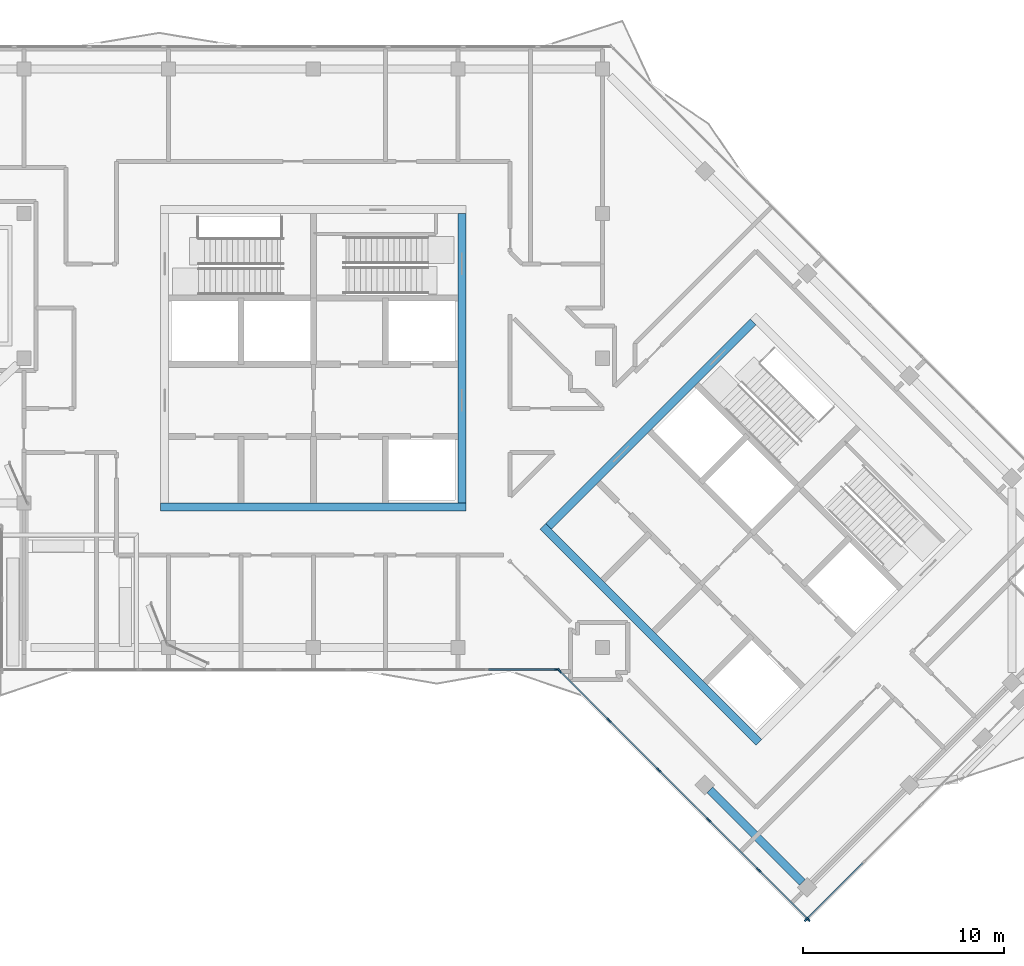
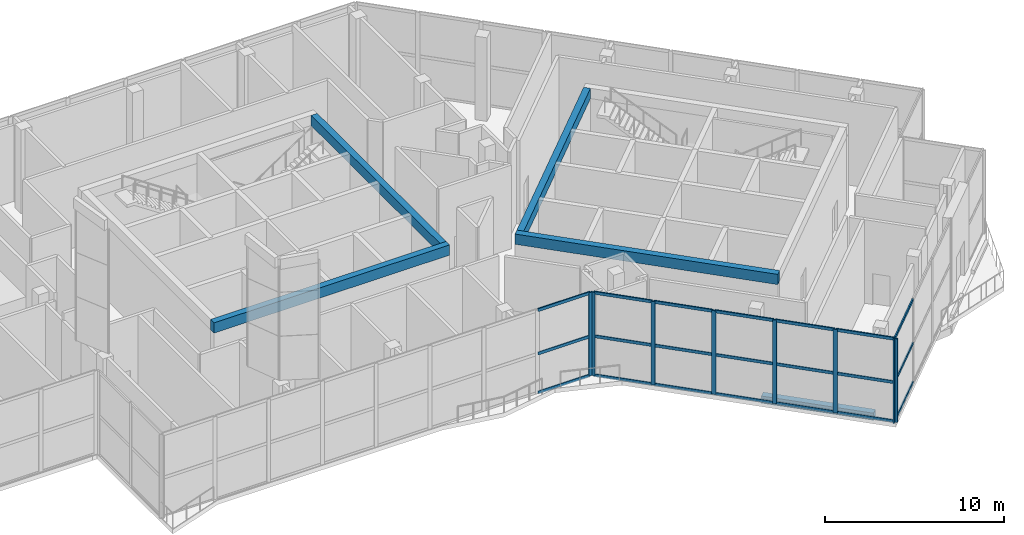
# One storey, part 5 of 19: 29 members, 5 beams, 3 elements without a shape of their own.
"""IFC4 building model written with IfcOpenShell, lengths in metres."""

from ifc_helpers import new_model, si_unit, direction, frame, origin, origin_2d, place, context, subcontext, project, spatial, rectangle, extrude, material, material_profile, profile_set, type_object, element, aggregate, save


model = new_model("IFC4")

# Units and contexts
model_context = context("Model", 3, precision=1e-05, world=origin(), true_north=direction((0.0, 1.0)))
body_context = subcontext(model_context, "Body", "Model", "MODEL_VIEW")
ifc_project = project(units=[si_unit("LENGTHUNIT", "METRE"), si_unit("AREAUNIT", "SQUARE_METRE"), si_unit("VOLUMEUNIT", "CUBIC_METRE"), si_unit("PLANEANGLEUNIT", "RADIAN"), si_unit("MASSUNIT", "GRAM", prefix="KILO")], contexts=[model_context])

# Site, building, storey
site_placement = place(None, origin())
site = spatial("IfcSite", under=ifc_project, at=site_placement, CompositionType="ELEMENT")
building_placement = place(site_placement, origin())
building = spatial("IfcBuilding", under=site, at=building_placement, Name="Windrow Commons", CompositionType="ELEMENT")
storey_placement = place(building_placement, frame((0.0, 0.0, 284.6)))
storey = spatial("IfcBuildingStorey", under=building, at=storey_placement, Name="L78", CompositionType="ELEMENT", Elevation=284.6)

# Curtain wall, member
ifc_material_1 = material(Name="Clear laminated glass in Aluminium 6063-T6 anodised frame", Category="aluminium")
curtain_wall_type = type_object("IfcCurtainWallType", Name="Curtain wall CW3 damper floor", PredefinedType="USERDEFINED", material=ifc_material_1)
placement = place(storey_placement, origin())
curtain_wall_1 = element("IfcCurtainWall", 1, at=placement, inside=storey, type_object=curtain_wall_type, Name="Curtain wall CW3 L78 1.1", ObjectType="STRUCTURAL SILICONE", PredefinedType="USERDEFINED")
ifc_material_2 = material(Name="Aluminium 6063-T6", Category="aluminium")
ifc_material_profile_1 = material_profile(ifc_material_2, rectangle(XDim=0.08, YDim=0.25, at=origin_2d()))
ifc_profile_set_1 = profile_set([ifc_material_profile_1], Name="Aluminium 6063-T6")
member_type_1 = type_object("IfcMemberType", Name="CW3 mullion 80x250", PredefinedType="MULLION", material=ifc_profile_set_1)
member_1_placement = place(storey_placement, frame((89.3399, 29.6726, 0.0), z_axis=(0.0, 0.0, 1.0), x_axis=(-0.707104177, 0.7071093854, 0.0)))
member_1 = element("IfcMember", 2, at=member_1_placement, type_object=member_type_1, Name="CW3 mullion 1", PredefinedType="MULLION", context=body_context, shape_type="SweptSolid", body=[
    extrude(rectangle(XDim=0.08, YDim=0.25, at=origin_2d()), origin(), (0.0, 0.0, 1.0), 5.7),
])

curtain_wall_2 = element("IfcCurtainWall", 3, at=placement, inside=storey, type_object=curtain_wall_type, Name="Curtain wall CW3 L78 13", ObjectType="STRUCTURAL SILICONE", PredefinedType="USERDEFINED")
member_2_placement = place(storey_placement, frame((76.9159, 42.1, 0.0), z_axis=(0.0, 0.0, 1.0), x_axis=(0.0, 1.0, 0.0)))
member_2 = element("IfcMember", 4, at=member_2_placement, type_object=member_type_1, Name="CW3 mullion 9", PredefinedType="MULLION", context=body_context, shape_type="SweptSolid", body=[
    extrude(rectangle(XDim=0.08, YDim=0.25, at=origin_2d()), origin(), (0.0, 0.0, 1.0), 5.7),
])

# Curtain wall, members
curtain_wall_3 = element("IfcCurtainWall", 5, at=placement, inside=storey, type_object=curtain_wall_type, Name="Curtain wall CW3 L78 14", ObjectType="STRUCTURAL SILICONE", PredefinedType="USERDEFINED")
member_3_placement = place(storey_placement, frame((77.0549, 42.0424, 0.0), z_axis=(0.0, 0.0, 1.0), x_axis=(0.7071067812, 0.7071067812, 0.0)))
member_3 = element("IfcMember", 6, at=member_3_placement, type_object=member_type_1, Name="CW3 mullion 1", PredefinedType="MULLION", context=body_context, shape_type="SweptSolid", body=[
    extrude(rectangle(XDim=0.08, YDim=0.25, at=origin_2d()), origin(), (0.0, 0.0, 1.0), 5.7),
])
member_4_placement = place(storey_placement, frame((79.5119, 39.5854, 0.0), z_axis=(0.0, 0.0, 1.0), x_axis=(0.7071067812, 0.7071067812, 0.0)))
member_4 = element("IfcMember", 7, at=member_4_placement, type_object=member_type_1, Name="CW3 mullion 2", PredefinedType="MULLION", context=body_context, shape_type="SweptSolid", body=[
    extrude(rectangle(XDim=0.08, YDim=0.25, at=origin_2d()), origin(), (0.0, 0.0, 1.0), 5.7),
])
member_5_placement = place(storey_placement, frame((81.9972, 37.1002, 0.0), z_axis=(0.0, 0.0, 1.0), x_axis=(0.7071067812, 0.7071067812, 0.0)))
member_5 = element("IfcMember", 8, at=member_5_placement, type_object=member_type_1, Name="CW3 mullion 3", PredefinedType="MULLION", context=body_context, shape_type="SweptSolid", body=[
    extrude(rectangle(XDim=0.08, YDim=0.25, at=origin_2d()), origin(), (0.0, 0.0, 1.0), 5.7),
])
member_6_placement = place(storey_placement, frame((84.4825, 34.6149, 0.0), z_axis=(0.0, 0.0, 1.0), x_axis=(0.7071067812, 0.7071067812, 0.0)))
member_6 = element("IfcMember", 9, at=member_6_placement, type_object=member_type_1, Name="CW3 mullion 4", PredefinedType="MULLION", context=body_context, shape_type="SweptSolid", body=[
    extrude(rectangle(XDim=0.08, YDim=0.25, at=origin_2d()), origin(), (0.0, 0.0, 1.0), 5.7),
])
member_7_placement = place(storey_placement, frame((86.9677, 32.1296, 0.0), z_axis=(0.0, 0.0, 1.0), x_axis=(0.7071067812, 0.7071067812, 0.0)))
member_7 = element("IfcMember", 10, at=member_7_placement, type_object=member_type_1, Name="CW3 mullion 5", PredefinedType="MULLION", context=body_context, shape_type="SweptSolid", body=[
    extrude(rectangle(XDim=0.08, YDim=0.25, at=origin_2d()), origin(), (0.0, 0.0, 1.0), 5.7),
])
member_8_placement = place(storey_placement, frame((89.4247, 29.6726, 0.0), z_axis=(0.0, 0.0, 1.0), x_axis=(0.7071067812, 0.7071067812, 0.0)))
member_8 = element("IfcMember", 11, at=member_8_placement, type_object=member_type_1, Name="CW3 mullion 6", PredefinedType="MULLION", context=body_context, shape_type="SweptSolid", body=[
    extrude(rectangle(XDim=0.08, YDim=0.25, at=origin_2d()), origin(), (0.0, 0.0, 1.0), 5.7),
])

# Member
ifc_material_3 = material(Name="Aluminium 6063-T6", Category="aluminium")
ifc_material_profile_2 = material_profile(ifc_material_3, rectangle(XDim=0.08, YDim=0.2, at=origin_2d()))
ifc_profile_set_2 = profile_set([ifc_material_profile_2], Name="Aluminium 6063-T6")
member_type_2 = type_object("IfcMemberType", Name="CW3 transom 80x200", PredefinedType="USERDEFINED", material=ifc_profile_set_2)
member_9_placement = place(storey_placement, frame((89.3682, 29.7009, 0.04), z_axis=(0.7071067812, 0.7071067812, 0.0), x_axis=(-0.7071067812, 0.7071067812, 0.0)))
member_9 = element("IfcMember", 12, at=member_9_placement, type_object=member_type_2, Name="CW3 transom 1.1", ObjectType="TRANSOM", PredefinedType="USERDEFINED", context=body_context, shape_type="SweptSolid", body=[
    extrude(rectangle(XDim=0.08, YDim=0.2, at=origin_2d()), origin(), (0.0, 0.0, 1.0), 3.9353),
])

member_10_placement = place(storey_placement, frame((89.3682, 29.7009, 2.7), z_axis=(0.7071067812, 0.7071067812, 0.0), x_axis=(-0.7071067812, 0.7071067812, 0.0)))
member_10 = element("IfcMember", 13, at=member_10_placement, type_object=member_type_2, Name="CW3 transom 1.2", ObjectType="TRANSOM", PredefinedType="USERDEFINED", context=body_context, shape_type="SweptSolid", body=[
    extrude(rectangle(XDim=0.08, YDim=0.2, at=origin_2d()), origin(), (0.0, 0.0, 1.0), 3.9353),
])

member_11_placement = place(storey_placement, frame((89.3682, 29.7009, 5.66), z_axis=(0.7071067812, 0.7071067812, 0.0), x_axis=(-0.7071067812, 0.7071067812, 0.0)))
member_11 = element("IfcMember", 14, at=member_11_placement, type_object=member_type_2, Name="CW3 transom 1.3", ObjectType="TRANSOM", PredefinedType="USERDEFINED", context=body_context, shape_type="SweptSolid", body=[
    extrude(rectangle(XDim=0.08, YDim=0.2, at=origin_2d()), origin(), (0.0, 0.0, 1.0), 3.9353),
])

aggregate(curtain_wall_1, [member_1, member_9, member_10, member_11])

member_12_placement = place(storey_placement, frame((73.5264, 42.1, 0.04), z_axis=(1.0, 0.0, 0.0), x_axis=(0.0, 1.0, 0.0)))
member_12 = element("IfcMember", 15, at=member_12_placement, type_object=member_type_2, Name="CW3 transom 8.1", ObjectType="TRANSOM", PredefinedType="USERDEFINED", context=body_context, shape_type="SweptSolid", body=[
    extrude(rectangle(XDim=0.08, YDim=0.2, at=origin_2d()), origin(), (0.0, 0.0, 1.0), 3.3495),
])

member_13_placement = place(storey_placement, frame((73.5264, 42.1, 2.7), z_axis=(1.0, 0.0, 0.0), x_axis=(0.0, 1.0, 0.0)))
member_13 = element("IfcMember", 16, at=member_13_placement, type_object=member_type_2, Name="CW3 transom 8.2", ObjectType="TRANSOM", PredefinedType="USERDEFINED", context=body_context, shape_type="SweptSolid", body=[
    extrude(rectangle(XDim=0.08, YDim=0.2, at=origin_2d()), origin(), (0.0, 0.0, 1.0), 3.3495),
])

member_14_placement = place(storey_placement, frame((73.5264, 42.1, 5.66), z_axis=(1.0, 0.0, 0.0), x_axis=(0.0, 1.0, 0.0)))
member_14 = element("IfcMember", 17, at=member_14_placement, type_object=member_type_2, Name="CW3 transom 8.3", ObjectType="TRANSOM", PredefinedType="USERDEFINED", context=body_context, shape_type="SweptSolid", body=[
    extrude(rectangle(XDim=0.08, YDim=0.2, at=origin_2d()), origin(), (0.0, 0.0, 1.0), 3.3495),
])

aggregate(curtain_wall_2, [member_2, member_12, member_13, member_14])

member_15_placement = place(storey_placement, frame((77.0832, 42.0141, 0.04), z_axis=(0.7071067812, -0.7071067812, 0.0), x_axis=(0.7071067812, 0.7071067812, 0.0)))
member_15 = element("IfcMember", 18, at=member_15_placement, type_object=member_type_2, Name="CW3 transom 1.1", ObjectType="TRANSOM", PredefinedType="USERDEFINED", context=body_context, shape_type="SweptSolid", body=[
    extrude(rectangle(XDim=0.08, YDim=0.2, at=origin_2d()), origin(), (0.0, 0.0, 1.0), 3.3947),
])

member_16_placement = place(storey_placement, frame((77.0832, 42.0141, 2.7), z_axis=(0.7071067812, -0.7071067812, 0.0), x_axis=(0.7071067812, 0.7071067812, 0.0)))
member_16 = element("IfcMember", 19, at=member_16_placement, type_object=member_type_2, Name="CW3 transom 1.2", ObjectType="TRANSOM", PredefinedType="USERDEFINED", context=body_context, shape_type="SweptSolid", body=[
    extrude(rectangle(XDim=0.08, YDim=0.2, at=origin_2d()), origin(), (0.0, 0.0, 1.0), 3.3947),
])

member_17_placement = place(storey_placement, frame((77.0832, 42.0141, 5.66), z_axis=(0.7071067812, -0.7071067812, 0.0), x_axis=(0.7071067812, 0.7071067812, 0.0)))
member_17 = element("IfcMember", 20, at=member_17_placement, type_object=member_type_2, Name="CW3 transom 1.3", ObjectType="TRANSOM", PredefinedType="USERDEFINED", context=body_context, shape_type="SweptSolid", body=[
    extrude(rectangle(XDim=0.08, YDim=0.2, at=origin_2d()), origin(), (0.0, 0.0, 1.0), 3.3947),
])

member_18_placement = place(storey_placement, frame((79.5402, 39.5571, 0.04), z_axis=(0.7071067812, -0.7071067812, 0.0), x_axis=(0.7071067812, 0.7071067812, 0.0)))
member_18 = element("IfcMember", 21, at=member_18_placement, type_object=member_type_2, Name="CW3 transom 2.1", ObjectType="TRANSOM", PredefinedType="USERDEFINED", context=body_context, shape_type="SweptSolid", body=[
    extrude(rectangle(XDim=0.08, YDim=0.2, at=origin_2d()), origin(), (0.0, 0.0, 1.0), 3.4347),
])

member_19_placement = place(storey_placement, frame((79.5402, 39.5571, 2.7), z_axis=(0.7071067812, -0.7071067812, 0.0), x_axis=(0.7071067812, 0.7071067812, 0.0)))
member_19 = element("IfcMember", 22, at=member_19_placement, type_object=member_type_2, Name="CW3 transom 2.2", ObjectType="TRANSOM", PredefinedType="USERDEFINED", context=body_context, shape_type="SweptSolid", body=[
    extrude(rectangle(XDim=0.08, YDim=0.2, at=origin_2d()), origin(), (0.0, 0.0, 1.0), 3.4347),
])

member_20_placement = place(storey_placement, frame((79.5402, 39.5571, 5.66), z_axis=(0.7071067812, -0.7071067812, 0.0), x_axis=(0.7071067812, 0.7071067812, 0.0)))
member_20 = element("IfcMember", 23, at=member_20_placement, type_object=member_type_2, Name="CW3 transom 2.3", ObjectType="TRANSOM", PredefinedType="USERDEFINED", context=body_context, shape_type="SweptSolid", body=[
    extrude(rectangle(XDim=0.08, YDim=0.2, at=origin_2d()), origin(), (0.0, 0.0, 1.0), 3.4347),
])

member_21_placement = place(storey_placement, frame((82.0255, 37.0719, 0.04), z_axis=(0.7071067812, -0.7071067812, 0.0), x_axis=(0.7071067812, 0.7071067812, 0.0)))
member_21 = element("IfcMember", 24, at=member_21_placement, type_object=member_type_2, Name="CW3 transom 3.1", ObjectType="TRANSOM", PredefinedType="USERDEFINED", context=body_context, shape_type="SweptSolid", body=[
    extrude(rectangle(XDim=0.08, YDim=0.2, at=origin_2d()), origin(), (0.0, 0.0, 1.0), 3.4347),
])

member_22_placement = place(storey_placement, frame((82.0255, 37.0719, 2.7), z_axis=(0.7071067812, -0.7071067812, 0.0), x_axis=(0.7071067812, 0.7071067812, 0.0)))
member_22 = element("IfcMember", 25, at=member_22_placement, type_object=member_type_2, Name="CW3 transom 3.2", ObjectType="TRANSOM", PredefinedType="USERDEFINED", context=body_context, shape_type="SweptSolid", body=[
    extrude(rectangle(XDim=0.08, YDim=0.2, at=origin_2d()), origin(), (0.0, 0.0, 1.0), 3.4347),
])

member_23_placement = place(storey_placement, frame((82.0255, 37.0719, 5.66), z_axis=(0.7071067812, -0.7071067812, 0.0), x_axis=(0.7071067812, 0.7071067812, 0.0)))
member_23 = element("IfcMember", 26, at=member_23_placement, type_object=member_type_2, Name="CW3 transom 3.3", ObjectType="TRANSOM", PredefinedType="USERDEFINED", context=body_context, shape_type="SweptSolid", body=[
    extrude(rectangle(XDim=0.08, YDim=0.2, at=origin_2d()), origin(), (0.0, 0.0, 1.0), 3.4347),
])

member_24_placement = place(storey_placement, frame((84.5107, 34.5866, 0.04), z_axis=(0.7071067812, -0.7071067812, 0.0), x_axis=(0.7071067812, 0.7071067812, 0.0)))
member_24 = element("IfcMember", 27, at=member_24_placement, type_object=member_type_2, Name="CW3 transom 4.1", ObjectType="TRANSOM", PredefinedType="USERDEFINED", context=body_context, shape_type="SweptSolid", body=[
    extrude(rectangle(XDim=0.08, YDim=0.2, at=origin_2d()), origin(), (0.0, 0.0, 1.0), 3.4347),
])

member_25_placement = place(storey_placement, frame((84.5107, 34.5866, 2.7), z_axis=(0.7071067812, -0.7071067812, 0.0), x_axis=(0.7071067812, 0.7071067812, 0.0)))
member_25 = element("IfcMember", 28, at=member_25_placement, type_object=member_type_2, Name="CW3 transom 4.2", ObjectType="TRANSOM", PredefinedType="USERDEFINED", context=body_context, shape_type="SweptSolid", body=[
    extrude(rectangle(XDim=0.08, YDim=0.2, at=origin_2d()), origin(), (0.0, 0.0, 1.0), 3.4347),
])

member_26_placement = place(storey_placement, frame((84.5107, 34.5866, 5.66), z_axis=(0.7071067812, -0.7071067812, 0.0), x_axis=(0.7071067812, 0.7071067812, 0.0)))
member_26 = element("IfcMember", 29, at=member_26_placement, type_object=member_type_2, Name="CW3 transom 4.3", ObjectType="TRANSOM", PredefinedType="USERDEFINED", context=body_context, shape_type="SweptSolid", body=[
    extrude(rectangle(XDim=0.08, YDim=0.2, at=origin_2d()), origin(), (0.0, 0.0, 1.0), 3.4347),
])

member_27_placement = place(storey_placement, frame((86.996, 32.1013, 0.04), z_axis=(0.7071067812, -0.7071067812, 0.0), x_axis=(0.7071067812, 0.7071067812, 0.0)))
member_27 = element("IfcMember", 30, at=member_27_placement, type_object=member_type_2, Name="CW3 transom 5.1", ObjectType="TRANSOM", PredefinedType="USERDEFINED", context=body_context, shape_type="SweptSolid", body=[
    extrude(rectangle(XDim=0.08, YDim=0.2, at=origin_2d()), origin(), (0.0, 0.0, 1.0), 3.3947),
])

member_28_placement = place(storey_placement, frame((86.996, 32.1013, 2.7), z_axis=(0.7071067812, -0.7071067812, 0.0), x_axis=(0.7071067812, 0.7071067812, 0.0)))
member_28 = element("IfcMember", 31, at=member_28_placement, type_object=member_type_2, Name="CW3 transom 5.2", ObjectType="TRANSOM", PredefinedType="USERDEFINED", context=body_context, shape_type="SweptSolid", body=[
    extrude(rectangle(XDim=0.08, YDim=0.2, at=origin_2d()), origin(), (0.0, 0.0, 1.0), 3.3947),
])

member_29_placement = place(storey_placement, frame((86.996, 32.1013, 5.66), z_axis=(0.7071067812, -0.7071067812, 0.0), x_axis=(0.7071067812, 0.7071067812, 0.0)))
member_29 = element("IfcMember", 32, at=member_29_placement, type_object=member_type_2, Name="CW3 transom 5.3", ObjectType="TRANSOM", PredefinedType="USERDEFINED", context=body_context, shape_type="SweptSolid", body=[
    extrude(rectangle(XDim=0.08, YDim=0.2, at=origin_2d()), origin(), (0.0, 0.0, 1.0), 3.3947),
])

aggregate(curtain_wall_3, [member_3, member_4, member_5, member_6, member_7, member_8, member_15, member_16, member_17, member_18, member_19, member_20, member_21, member_22, member_23, member_24, member_25, member_26, member_27, member_28, member_29])

# Beams
ifc_material_4 = material(Name="Concrete C40/50", Category="concrete")
ifc_material_profile_3 = material_profile(ifc_material_4, rectangle(XDim=0.4, YDim=0.7, at=origin_2d()))
ifc_profile_set_3 = profile_set([ifc_material_profile_3], Name="Concrete C40/50")
beam_type_1 = type_object("IfcBeamType", Name="RC COUPLING BEAM 400x700 C40/50", PredefinedType="LINTEL", material=ifc_profile_set_3)
beam_1_placement = place(storey_placement, frame((57.2, 50.2, 5.35), z_axis=(1.0, 0.0, 0.0), x_axis=(0.0, 1.0, 0.0)))
element("IfcBeam", 33, at=beam_1_placement, inside=storey, type_object=beam_type_1, Name="Core A coupling beam outer-S", PredefinedType="LINTEL", context=body_context, shape_type="SweptSolid", body=[
    extrude(rectangle(XDim=0.4, YDim=0.7, at=origin_2d()), origin(), (0.0, 0.0, 1.0), 15.2),
])
beam_2_placement = place(storey_placement, frame((72.2, 50.4, 5.35), z_axis=(0.0, 1.0, 0.0), x_axis=(-1.0, 0.0, 0.0)))
element("IfcBeam", 34, at=beam_2_placement, inside=storey, type_object=beam_type_1, Name="Core A coupling beam outer-E", PredefinedType="LINTEL", context=body_context, shape_type="SweptSolid", body=[
    extrude(rectangle(XDim=0.4, YDim=0.7, at=origin_2d()), origin(), (0.0, 0.0, 1.0), 14.4),
])
beam_3_placement = place(storey_placement, frame((76.2302, 49.2312, 5.35), z_axis=(0.7071034917, -0.7071100706, 0.0), x_axis=(0.7071100706, 0.7071034917, 0.0)))
element("IfcBeam", 35, at=beam_3_placement, inside=storey, type_object=beam_type_1, Name="Core B coupling beam outer-S", PredefinedType="LINTEL", context=body_context, shape_type="SweptSolid", body=[
    extrude(rectangle(XDim=0.4, YDim=0.7, at=origin_2d()), origin(), (0.0, 0.0, 1.0), 15.2),
])
beam_4_placement = place(storey_placement, frame((76.513, 49.2312, 5.35), z_axis=(0.7071067812, 0.7071067812, 0.0), x_axis=(-0.7071067812, 0.7071067812, 0.0)))
element("IfcBeam", 36, at=beam_4_placement, inside=storey, type_object=beam_type_1, Name="Core B coupling beam outer-W", PredefinedType="LINTEL", context=body_context, shape_type="SweptSolid", body=[
    extrude(rectangle(XDim=0.4, YDim=0.7, at=origin_2d()), origin(), (0.0, 0.0, 1.0), 14.3999),
])
ifc_material_5 = material(Name="Concrete C40/50", Category="concrete")
ifc_material_profile_4 = material_profile(ifc_material_5, rectangle(XDim=0.4, YDim=0.5, at=origin_2d()))
ifc_profile_set_4 = profile_set([ifc_material_profile_4], Name="Concrete C40/50")
beam_type_2 = type_object("IfcBeamType", Name="RC EDGE BEAM 400x500 C40/50", PredefinedType="SPANDREL", material=ifc_profile_set_4)
beam_5_placement = place(storey_placement, frame((89.1348, 31.5181, -0.55), z_axis=(-0.7070990888, 0.7071144735, 0.0), x_axis=(-0.7071144735, -0.7070990888, 0.0)))
element("IfcBeam", 37, at=beam_5_placement, inside=storey, type_object=beam_type_2, Name="Edge beam L78 023", PredefinedType="SPANDREL", context=body_context, shape_type="SweptSolid", body=[
    extrude(rectangle(XDim=0.4, YDim=0.5, at=origin_2d()), origin(), (0.0, 0.0, 1.0), 6.4999),
])

save(model, "model.ifc")
